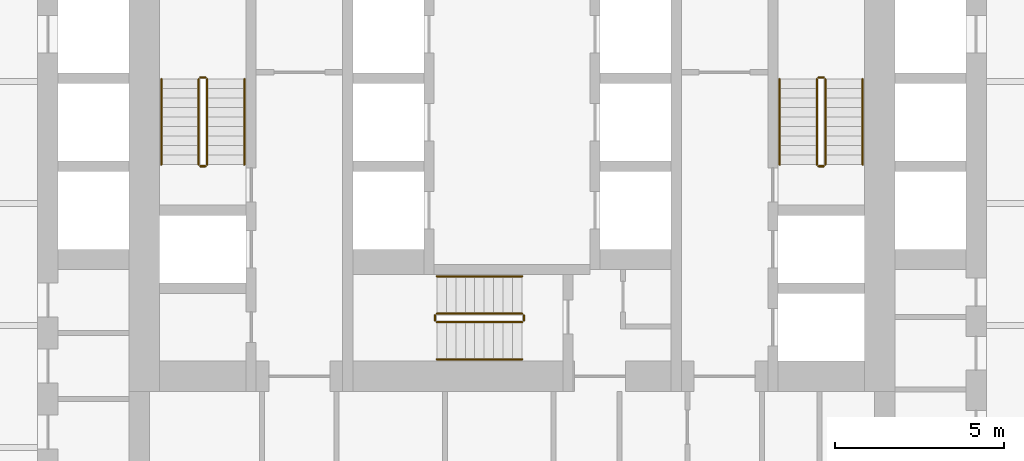
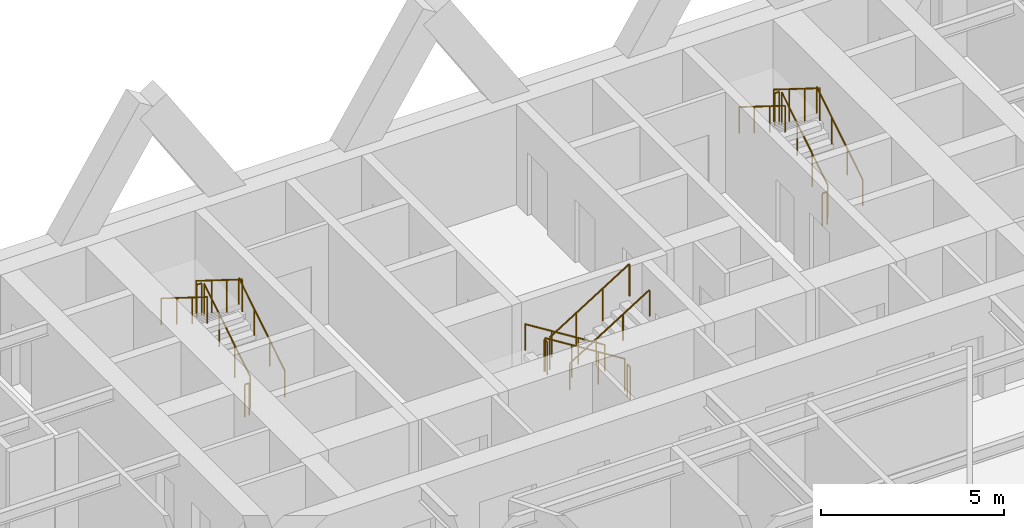
# One storey, part 10 of 11: 18 railings.
"""IFC4 building model written with IfcOpenShell, lengths in metres."""

from ifc_helpers import new_model, si_unit, direction, frame, origin, origin_2d, place, context, subcontext, project, spatial, circle, extrude, material, type_object, element, save


model = new_model("IFC4")

# Units and contexts
model_context = context("Model", 3, precision=1e-05, world=origin(), true_north=direction((0.0, 1.0)))
body_context = subcontext(model_context, "Body", "Model", "MODEL_VIEW")
ifc_project = project(units=[si_unit("LENGTHUNIT", "METRE"), si_unit("AREAUNIT", "SQUARE_METRE"), si_unit("VOLUMEUNIT", "CUBIC_METRE"), si_unit("PLANEANGLEUNIT", "RADIAN"), si_unit("MASSUNIT", "GRAM", prefix="KILO")], contexts=[model_context])

# Site, building, storey
site_placement = place(None, origin())
site = spatial("IfcSite", under=ifc_project, at=site_placement, CompositionType="ELEMENT")
building_placement = place(site_placement, origin())
building = spatial("IfcBuilding", under=site, at=building_placement, Name="Aloe Facet Convention Tower", CompositionType="ELEMENT")
storey_placement = place(building_placement, frame((0.0, 0.0, 35.0)))
storey = spatial("IfcBuildingStorey", under=building, at=storey_placement, Name="L06", CompositionType="ELEMENT", Elevation=35.0)

# Railings
ifc_material_1 = material(Name="Steel S355 balustrade", Category="steel")
railing_type_1 = type_object("IfcRailingType", Name="CR-RL-GUARD", PredefinedType="GUARDRAIL", material=ifc_material_1)
railing_1_placement = place(storey_placement, frame((71.0, 128.949951171875, 0.175048828125)))
element("IfcRailing", 1, at=railing_1_placement, inside=storey, type_object=railing_type_1, Name="L06 ST1 stair guard 1", PredefinedType="GUARDRAIL", context=body_context, shape_type="SweptSolid", body=[
    extrude(circle(Radius=0.02392578125, at=origin_2d()), frame((0.0, 0.0, 1.076171875), z_axis=(0.0, 0.848007534815, 0.529984170421), x_axis=(-1.0, 0.0, 0.0)), (0.0, 0.0, 1.0), 2.9716796875),
    extrude(circle(Radius=0.02099609375, at=origin_2d()), origin(), (0.0, 0.0, 1.0), 1.052001953125),
    extrude(circle(Radius=0.02099609375, at=origin_2d()), frame((0.0, 0.840087890625, 0.52490234375)), (0.0, 0.0, 1.0), 1.052001953125),
    extrude(circle(Radius=0.02099609375, at=origin_2d()), frame((0.0, 1.679931640625, 1.050048828125)), (0.0, 0.0, 1.0), 1.052001953125),
    extrude(circle(Radius=0.02099609375, at=origin_2d()), frame((0.0, 2.52001953125, 1.574951171875)), (0.0, 0.0, 1.0), 1.052001953125),
])
railing_2_placement = place(storey_placement, frame((70.949951171875, 131.52001953125, 1.75)))
element("IfcRailing", 2, at=railing_2_placement, inside=storey, type_object=railing_type_1, Name="L06 ST1 stair guard 2", PredefinedType="GUARDRAIL", context=body_context, shape_type="SweptSolid", body=[
    extrude(circle(Radius=0.02392578125, at=origin_2d()), frame((0.0, 0.0, 1.076171875), z_axis=(-1.0, 0.0, 0.0), x_axis=(0.0, -1.0, 0.0)), (0.0, 0.0, 1.0), 0.14990234375),
    extrude(circle(Radius=0.02099609375, at=origin_2d()), origin(), (0.0, 0.0, 1.0), 1.052001953125),
    extrude(circle(Radius=0.02099609375, at=origin_2d()), frame((-0.14990234375, 0.0, 0.0)), (0.0, 0.0, 1.0), 1.052001953125),
])
railing_3_placement = place(storey_placement, frame((70.75, 131.469970703125, 1.925048828125)))
element("IfcRailing", 3, at=railing_3_placement, inside=storey, type_object=railing_type_1, Name="L06 ST1 stair guard 3", PredefinedType="GUARDRAIL", context=body_context, shape_type="SweptSolid", body=[
    extrude(circle(Radius=0.02392578125, at=origin_2d()), frame((0.0, 0.0, 1.076171875), z_axis=(0.0, -0.848007534815, 0.529984170421), x_axis=(1.0, 0.0, 0.0)), (0.0, 0.0, 1.0), 2.9716796875),
    extrude(circle(Radius=0.02099609375, at=origin_2d()), origin(), (0.0, 0.0, 1.0), 1.052001953125),
    extrude(circle(Radius=0.02099609375, at=origin_2d()), frame((0.0, -0.840087890625, 0.52490234375)), (0.0, 0.0, 1.0), 1.052001953125),
    extrude(circle(Radius=0.02099609375, at=origin_2d()), frame((0.0, -1.679931640625, 1.050048828125)), (0.0, 0.0, 1.0), 1.052001953125),
    extrude(circle(Radius=0.02099609375, at=origin_2d()), frame((0.0, -2.52001953125, 1.574951171875)), (0.0, 0.0, 1.0), 1.052001953125),
])
railing_4_placement = place(storey_placement, frame((70.949951171875, 128.89990234375, 0.0)))
element("IfcRailing", 4, at=railing_4_placement, inside=storey, type_object=railing_type_1, Name="L06 ST1 stair guard 4", PredefinedType="GUARDRAIL", context=body_context, shape_type="SweptSolid", body=[
    extrude(circle(Radius=0.02392578125, at=origin_2d()), frame((0.0, 0.0, 1.076171875), z_axis=(-1.0, 0.0, 0.0), x_axis=(0.0, -1.0, 0.0)), (0.0, 0.0, 1.0), 0.14990234375),
    extrude(circle(Radius=0.02099609375, at=origin_2d()), origin(), (0.0, 0.0, 1.0), 1.052001953125),
    extrude(circle(Radius=0.02099609375, at=origin_2d()), frame((-0.14990234375, 0.0, 0.0)), (0.0, 0.0, 1.0), 1.052001953125),
])
railing_5_placement = place(storey_placement, frame((89.25, 128.949951171875, 0.175048828125)))
element("IfcRailing", 5, at=railing_5_placement, inside=storey, type_object=railing_type_1, Name="L06 ST2 stair guard 1", PredefinedType="GUARDRAIL", context=body_context, shape_type="SweptSolid", body=[
    extrude(circle(Radius=0.02392578125, at=origin_2d()), frame((0.0, 0.0, 1.076171875), z_axis=(0.0, 0.848007534815, 0.529984170421), x_axis=(-1.0, 0.0, 0.0)), (0.0, 0.0, 1.0), 2.9716796875),
    extrude(circle(Radius=0.02099609375, at=origin_2d()), origin(), (0.0, 0.0, 1.0), 1.052001953125),
    extrude(circle(Radius=0.02099609375, at=origin_2d()), frame((0.0, 0.840087890625, 0.52490234375)), (0.0, 0.0, 1.0), 1.052001953125),
    extrude(circle(Radius=0.02099609375, at=origin_2d()), frame((0.0, 1.679931640625, 1.050048828125)), (0.0, 0.0, 1.0), 1.052001953125),
    extrude(circle(Radius=0.02099609375, at=origin_2d()), frame((0.0, 2.52001953125, 1.574951171875)), (0.0, 0.0, 1.0), 1.052001953125),
])
railing_6_placement = place(storey_placement, frame((89.199951171875, 131.52001953125, 1.75)))
element("IfcRailing", 6, at=railing_6_placement, inside=storey, type_object=railing_type_1, Name="L06 ST2 stair guard 2", PredefinedType="GUARDRAIL", context=body_context, shape_type="SweptSolid", body=[
    extrude(circle(Radius=0.02392578125, at=origin_2d()), frame((0.0, 0.0, 1.076171875), z_axis=(-1.0, 0.0, 0.0), x_axis=(0.0, -1.0, 0.0)), (0.0, 0.0, 1.0), 0.14990234375),
    extrude(circle(Radius=0.02099609375, at=origin_2d()), origin(), (0.0, 0.0, 1.0), 1.052001953125),
    extrude(circle(Radius=0.02099609375, at=origin_2d()), frame((-0.14990234375, 0.0, 0.0)), (0.0, 0.0, 1.0), 1.052001953125),
])
railing_7_placement = place(storey_placement, frame((89.0, 131.469970703125, 1.925048828125)))
element("IfcRailing", 7, at=railing_7_placement, inside=storey, type_object=railing_type_1, Name="L06 ST2 stair guard 3", PredefinedType="GUARDRAIL", context=body_context, shape_type="SweptSolid", body=[
    extrude(circle(Radius=0.02392578125, at=origin_2d()), frame((0.0, 0.0, 1.076171875), z_axis=(0.0, -0.848007534815, 0.529984170421), x_axis=(1.0, 0.0, 0.0)), (0.0, 0.0, 1.0), 2.9716796875),
    extrude(circle(Radius=0.02099609375, at=origin_2d()), origin(), (0.0, 0.0, 1.0), 1.052001953125),
    extrude(circle(Radius=0.02099609375, at=origin_2d()), frame((0.0, -0.840087890625, 0.52490234375)), (0.0, 0.0, 1.0), 1.052001953125),
    extrude(circle(Radius=0.02099609375, at=origin_2d()), frame((0.0, -1.679931640625, 1.050048828125)), (0.0, 0.0, 1.0), 1.052001953125),
    extrude(circle(Radius=0.02099609375, at=origin_2d()), frame((0.0, -2.52001953125, 1.574951171875)), (0.0, 0.0, 1.0), 1.052001953125),
])
railing_8_placement = place(storey_placement, frame((89.199951171875, 128.89990234375, 0.0)))
element("IfcRailing", 8, at=railing_8_placement, inside=storey, type_object=railing_type_1, Name="L06 ST2 stair guard 4", PredefinedType="GUARDRAIL", context=body_context, shape_type="SweptSolid", body=[
    extrude(circle(Radius=0.02392578125, at=origin_2d()), frame((0.0, 0.0, 1.076171875), z_axis=(-1.0, 0.0, 0.0), x_axis=(0.0, -1.0, 0.0)), (0.0, 0.0, 1.0), 0.14990234375),
    extrude(circle(Radius=0.02099609375, at=origin_2d()), origin(), (0.0, 0.0, 1.0), 1.052001953125),
    extrude(circle(Radius=0.02099609375, at=origin_2d()), frame((-0.14990234375, 0.0, 0.0)), (0.0, 0.0, 1.0), 1.052001953125),
])
railing_9_placement = place(storey_placement, frame((80.300048828125, 124.550048828125, 0.175048828125)))
element("IfcRailing", 9, at=railing_9_placement, inside=storey, type_object=railing_type_1, Name="L06 ST3 stair guard 1", PredefinedType="GUARDRAIL", context=body_context, shape_type="SweptSolid", body=[
    extrude(circle(Radius=0.02392578125, at=origin_2d()), frame((0.0, 0.0, 1.076171875), z_axis=(-0.848007534815, 0.0, 0.529984170421), x_axis=(0.0, -1.0, 0.0)), (0.0, 0.0, 1.0), 2.9716796875),
    extrude(circle(Radius=0.02099609375, at=origin_2d()), origin(), (0.0, 0.0, 1.0), 1.052001953125),
    extrude(circle(Radius=0.02099609375, at=origin_2d()), frame((-0.840087890625, 0.0, 0.52490234375)), (0.0, 0.0, 1.0), 1.052001953125),
    extrude(circle(Radius=0.02099609375, at=origin_2d()), frame((-1.679931640625, 0.0, 1.050048828125)), (0.0, 0.0, 1.0), 1.052001953125),
    extrude(circle(Radius=0.02099609375, at=origin_2d()), frame((-2.52001953125, 0.0, 1.574951171875)), (0.0, 0.0, 1.0), 1.052001953125),
])
railing_10_placement = place(storey_placement, frame((77.72998046875, 124.5, 1.75)))
element("IfcRailing", 10, at=railing_10_placement, inside=storey, type_object=railing_type_1, Name="L06 ST3 stair guard 2", PredefinedType="GUARDRAIL", context=body_context, shape_type="SweptSolid", body=[
    extrude(circle(Radius=0.02392578125, at=origin_2d()), frame((0.0, 0.0, 1.076171875), z_axis=(0.0, -1.0, 0.0), x_axis=(1.0, 0.0, 0.0)), (0.0, 0.0, 1.0), 0.14990234375),
    extrude(circle(Radius=0.02099609375, at=origin_2d()), origin(), (0.0, 0.0, 1.0), 1.052001953125),
    extrude(circle(Radius=0.02099609375, at=origin_2d()), frame((0.0, -0.14990234375, 0.0)), (0.0, 0.0, 1.0), 1.052001953125),
])
railing_11_placement = place(storey_placement, frame((77.780029296875, 124.300048828125, 1.925048828125)))
element("IfcRailing", 11, at=railing_11_placement, inside=storey, type_object=railing_type_1, Name="L06 ST3 stair guard 3", PredefinedType="GUARDRAIL", context=body_context, shape_type="SweptSolid", body=[
    extrude(circle(Radius=0.02392578125, at=origin_2d()), frame((0.0, 0.0, 1.076171875), z_axis=(0.848007534815, 0.0, 0.529984170421), x_axis=(0.0, 1.0, 0.0)), (0.0, 0.0, 1.0), 2.9716796875),
    extrude(circle(Radius=0.02099609375, at=origin_2d()), origin(), (0.0, 0.0, 1.0), 1.052001953125),
    extrude(circle(Radius=0.02099609375, at=origin_2d()), frame((0.840087890625, 0.0, 0.52490234375)), (0.0, 0.0, 1.0), 1.052001953125),
    extrude(circle(Radius=0.02099609375, at=origin_2d()), frame((1.679931640625, 0.0, 1.050048828125)), (0.0, 0.0, 1.0), 1.052001953125),
    extrude(circle(Radius=0.02099609375, at=origin_2d()), frame((2.52001953125, 0.0, 1.574951171875)), (0.0, 0.0, 1.0), 1.052001953125),
])
railing_12_placement = place(storey_placement, frame((80.35009765625, 124.5, 0.0)))
element("IfcRailing", 12, at=railing_12_placement, inside=storey, type_object=railing_type_1, Name="L06 ST3 stair guard 4", PredefinedType="GUARDRAIL", context=body_context, shape_type="SweptSolid", body=[
    extrude(circle(Radius=0.02392578125, at=origin_2d()), frame((0.0, 0.0, 1.076171875), z_axis=(0.0, -1.0, 0.0), x_axis=(1.0, 0.0, 0.0)), (0.0, 0.0, 1.0), 0.14990234375),
    extrude(circle(Radius=0.02099609375, at=origin_2d()), origin(), (0.0, 0.0, 1.0), 1.052001953125),
    extrude(circle(Radius=0.02099609375, at=origin_2d()), frame((0.0, -0.14990234375, 0.0)), (0.0, 0.0, 1.0), 1.052001953125),
])
ifc_material_2 = material(Name="Steel S355 handrail", Category="steel")
railing_type_2 = type_object("IfcRailingType", Name="CR-RL-HAND", PredefinedType="HANDRAIL", material=ifc_material_2)
railing_13_placement = place(storey_placement, frame((72.10009765625, 128.949951171875, 0.175048828125)))
element("IfcRailing", 13, at=railing_13_placement, inside=storey, type_object=railing_type_2, Name="L06 ST1 stair handrail 1", PredefinedType="HANDRAIL", context=body_context, shape_type="SweptSolid", body=[
    extrude(circle(Radius=0.02392578125, at=origin_2d()), frame((0.0, 0.0, 0.8759765625), z_axis=(0.0, 0.848007534815, 0.529984170421), x_axis=(-1.0, 0.0, 0.0)), (0.0, 0.0, 1.0), 2.9716796875),
    extrude(circle(Radius=0.02099609375, at=origin_2d()), origin(), (0.0, 0.0, 1.0), 0.851806640625),
    extrude(circle(Radius=0.02099609375, at=origin_2d()), frame((0.0, 0.840087890625, 0.52490234375)), (0.0, 0.0, 1.0), 0.851806640625),
    extrude(circle(Radius=0.02099609375, at=origin_2d()), frame((0.0, 1.679931640625, 1.050048828125)), (0.0, 0.0, 1.0), 0.851806640625),
    extrude(circle(Radius=0.02099609375, at=origin_2d()), frame((0.0, 2.52001953125, 1.574951171875)), (0.0, 0.0, 1.0), 0.851806640625),
])
railing_14_placement = place(storey_placement, frame((69.64990234375, 131.469970703125, 1.925048828125)))
element("IfcRailing", 14, at=railing_14_placement, inside=storey, type_object=railing_type_2, Name="L06 ST1 stair handrail 2", PredefinedType="HANDRAIL", context=body_context, shape_type="SweptSolid", body=[
    extrude(circle(Radius=0.02392578125, at=origin_2d()), frame((0.0, 0.0, 0.8759765625), z_axis=(0.0, -0.848007534815, 0.529984170421), x_axis=(1.0, 0.0, 0.0)), (0.0, 0.0, 1.0), 2.9716796875),
    extrude(circle(Radius=0.02099609375, at=origin_2d()), origin(), (0.0, 0.0, 1.0), 0.851806640625),
    extrude(circle(Radius=0.02099609375, at=origin_2d()), frame((0.0, -0.840087890625, 0.52490234375)), (0.0, 0.0, 1.0), 0.851806640625),
    extrude(circle(Radius=0.02099609375, at=origin_2d()), frame((0.0, -1.679931640625, 1.050048828125)), (0.0, 0.0, 1.0), 0.851806640625),
    extrude(circle(Radius=0.02099609375, at=origin_2d()), frame((0.0, -2.52001953125, 1.574951171875)), (0.0, 0.0, 1.0), 0.851806640625),
])
railing_15_placement = place(storey_placement, frame((90.35009765625, 128.949951171875, 0.175048828125)))
element("IfcRailing", 15, at=railing_15_placement, inside=storey, type_object=railing_type_2, Name="L06 ST2 stair handrail 1", PredefinedType="HANDRAIL", context=body_context, shape_type="SweptSolid", body=[
    extrude(circle(Radius=0.02392578125, at=origin_2d()), frame((0.0, 0.0, 0.8759765625), z_axis=(0.0, 0.848007534815, 0.529984170421), x_axis=(-1.0, 0.0, 0.0)), (0.0, 0.0, 1.0), 2.9716796875),
    extrude(circle(Radius=0.02099609375, at=origin_2d()), origin(), (0.0, 0.0, 1.0), 0.851806640625),
    extrude(circle(Radius=0.02099609375, at=origin_2d()), frame((0.0, 0.840087890625, 0.52490234375)), (0.0, 0.0, 1.0), 0.851806640625),
    extrude(circle(Radius=0.02099609375, at=origin_2d()), frame((0.0, 1.679931640625, 1.050048828125)), (0.0, 0.0, 1.0), 0.851806640625),
    extrude(circle(Radius=0.02099609375, at=origin_2d()), frame((0.0, 2.52001953125, 1.574951171875)), (0.0, 0.0, 1.0), 0.851806640625),
])
railing_16_placement = place(storey_placement, frame((87.89990234375, 131.469970703125, 1.925048828125)))
element("IfcRailing", 16, at=railing_16_placement, inside=storey, type_object=railing_type_2, Name="L06 ST2 stair handrail 2", PredefinedType="HANDRAIL", context=body_context, shape_type="SweptSolid", body=[
    extrude(circle(Radius=0.02392578125, at=origin_2d()), frame((0.0, 0.0, 0.8759765625), z_axis=(0.0, -0.848007534815, 0.529984170421), x_axis=(1.0, 0.0, 0.0)), (0.0, 0.0, 1.0), 2.9716796875),
    extrude(circle(Radius=0.02099609375, at=origin_2d()), origin(), (0.0, 0.0, 1.0), 0.851806640625),
    extrude(circle(Radius=0.02099609375, at=origin_2d()), frame((0.0, -0.840087890625, 0.52490234375)), (0.0, 0.0, 1.0), 0.851806640625),
    extrude(circle(Radius=0.02099609375, at=origin_2d()), frame((0.0, -1.679931640625, 1.050048828125)), (0.0, 0.0, 1.0), 0.851806640625),
    extrude(circle(Radius=0.02099609375, at=origin_2d()), frame((0.0, -2.52001953125, 1.574951171875)), (0.0, 0.0, 1.0), 0.851806640625),
])
railing_17_placement = place(storey_placement, frame((80.300048828125, 125.64990234375, 0.175048828125)))
element("IfcRailing", 17, at=railing_17_placement, inside=storey, type_object=railing_type_2, Name="L06 ST3 stair handrail 1", PredefinedType="HANDRAIL", context=body_context, shape_type="SweptSolid", body=[
    extrude(circle(Radius=0.02392578125, at=origin_2d()), frame((0.0, 0.0, 0.8759765625), z_axis=(-0.848007534815, 0.0, 0.529984170421), x_axis=(0.0, -1.0, 0.0)), (0.0, 0.0, 1.0), 2.9716796875),
    extrude(circle(Radius=0.02099609375, at=origin_2d()), origin(), (0.0, 0.0, 1.0), 0.851806640625),
    extrude(circle(Radius=0.02099609375, at=origin_2d()), frame((-0.840087890625, 0.0, 0.52490234375)), (0.0, 0.0, 1.0), 0.851806640625),
    extrude(circle(Radius=0.02099609375, at=origin_2d()), frame((-1.679931640625, 0.0, 1.050048828125)), (0.0, 0.0, 1.0), 0.851806640625),
    extrude(circle(Radius=0.02099609375, at=origin_2d()), frame((-2.52001953125, 0.0, 1.574951171875)), (0.0, 0.0, 1.0), 0.851806640625),
])
railing_18_placement = place(storey_placement, frame((77.780029296875, 123.199951171875, 1.925048828125)))
element("IfcRailing", 18, at=railing_18_placement, inside=storey, type_object=railing_type_2, Name="L06 ST3 stair handrail 2", PredefinedType="HANDRAIL", context=body_context, shape_type="SweptSolid", body=[
    extrude(circle(Radius=0.02392578125, at=origin_2d()), frame((0.0, 0.0, 0.8759765625), z_axis=(0.848007534815, 0.0, 0.529984170421), x_axis=(0.0, 1.0, 0.0)), (0.0, 0.0, 1.0), 2.9716796875),
    extrude(circle(Radius=0.02099609375, at=origin_2d()), origin(), (0.0, 0.0, 1.0), 0.851806640625),
    extrude(circle(Radius=0.02099609375, at=origin_2d()), frame((0.840087890625, 0.0, 0.52490234375)), (0.0, 0.0, 1.0), 0.851806640625),
    extrude(circle(Radius=0.02099609375, at=origin_2d()), frame((1.679931640625, 0.0, 1.050048828125)), (0.0, 0.0, 1.0), 0.851806640625),
    extrude(circle(Radius=0.02099609375, at=origin_2d()), frame((2.52001953125, 0.0, 1.574951171875)), (0.0, 0.0, 1.0), 0.851806640625),
])

save(model, "model.ifc")
